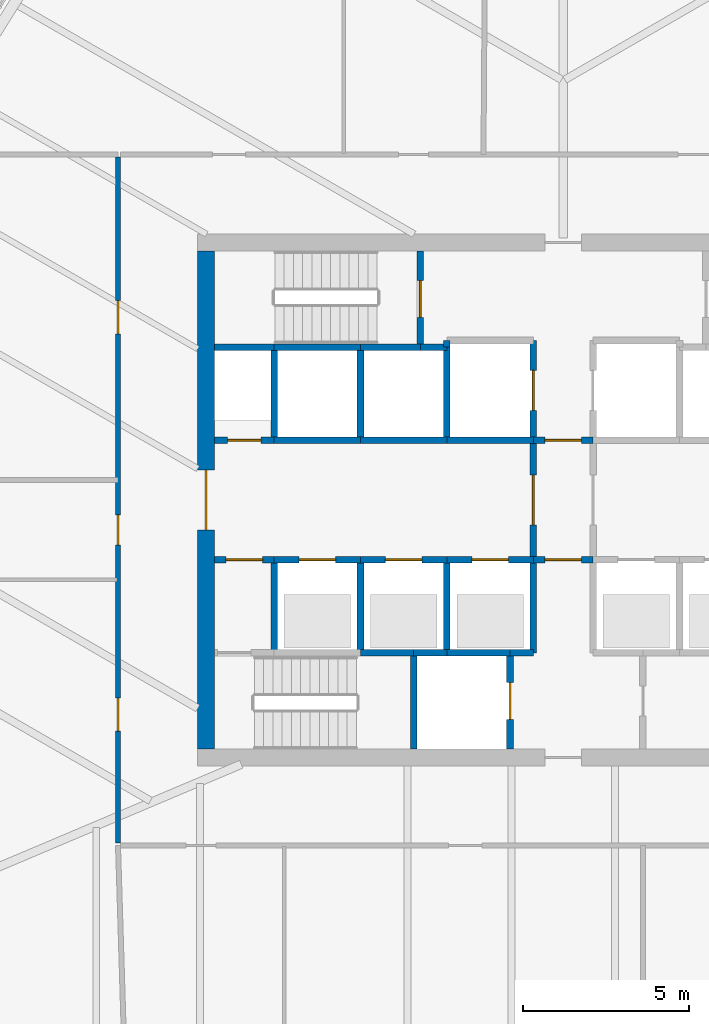
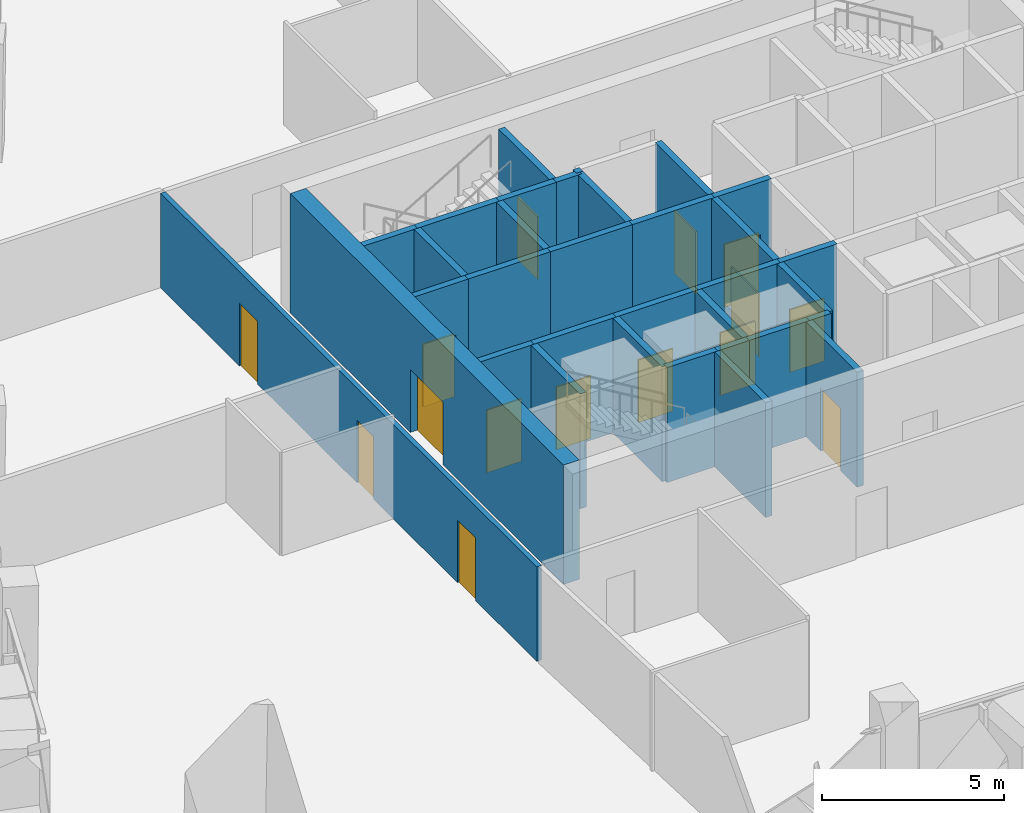
# One storey, part 12 of 18: 33 walls, 15 doors, 15 openings.
"""IFC4 building model written with IfcOpenShell, lengths in metres."""

from ifc_helpers import new_model, si_unit, direction, frame, frame_2d, origin, place, context, subcontext, project, spatial, rectangle, extrude, material, layer, layer_set, type_object, element, fill, save


model = new_model("IFC4")

# Units and contexts
model_context = context("Model", 3, precision=1e-05, world=origin(), true_north=direction((0.0, 1.0)))
body_context = subcontext(model_context, "Body", "Model", "MODEL_VIEW")
ifc_project = project(units=[si_unit("LENGTHUNIT", "METRE"), si_unit("AREAUNIT", "SQUARE_METRE"), si_unit("VOLUMEUNIT", "CUBIC_METRE"), si_unit("PLANEANGLEUNIT", "RADIAN"), si_unit("MASSUNIT", "GRAM", prefix="KILO")], contexts=[model_context])

# Site, building, storey
site_placement = place(None, origin())
site = spatial("IfcSite", under=ifc_project, at=site_placement, CompositionType="ELEMENT")
building_placement = place(site_placement, origin())
building = spatial("IfcBuilding", under=site, at=building_placement, Name="Sierra Prisma Convention Tower", CompositionType="ELEMENT")
storey_placement = place(building_placement, frame((0.0, 0.0, 129.800048828125)))
storey = spatial("IfcBuildingStorey", under=building, at=storey_placement, Name="L27", CompositionType="ELEMENT", Elevation=129.800048828125)

# Wall, opening, door
ifc_material_1 = material(Name="Concrete C30/37", Category="concrete")
ifc_layer_1 = layer(ifc_material_1, 0.199951171875)
ifc_layer_set_1 = layer_set([ifc_layer_1], Name="Core wall RC 200 C30/37")
wall_type_1 = type_object("IfcWallType", Name="Core wall RC 200 C30/37", PredefinedType="SOLIDWALL", material=ifc_layer_set_1)
wall_1_placement = place(storey_placement, frame((-10.5, -1.800048828125, 0.0), z_axis=(0.0, 0.0, 1.0), x_axis=(1.0, 0.0, 0.0)))
wall_1 = element("IfcWall", 1, at=wall_1_placement, inside=storey, type_object=wall_type_1, Name="Core wall L27 2", PredefinedType="SOLIDWALL", context=body_context, shape_type="SweptSolid", body=[
    extrude(rectangle(XDim=1.800048828125, YDim=0.199951171875, at=frame_2d((0.89990234375, 0.0))), origin(), (0.0, 0.0, 1.0), 3.849853515625),
])
opening_1_placement = place(wall_1_placement, frame((0.35009765625, 0.0, 0.0)))
opening_1 = element("IfcOpeningElement", 2, at=opening_1_placement, cuts=wall_1, Name="Opening L27-D012", PredefinedType="OPENING", context=body_context, shape_type="SweptSolid", body=[
    extrude(rectangle(XDim=1.10009765625, YDim=2.10009765625, at=frame_2d((0.550048828125, 1.050048828125))), frame((0.0, 0.10009765625, 0.0), z_axis=(0.0, -1.0, 0.0), x_axis=(1.0, 0.0, 0.0)), (0.0, 0.0, 1.0), 0.199951171875),
])
ifc_material_2 = material(Name="Steel fire door leaf", Category="steel")
door_type_1 = type_object("IfcDoorType", Name="Door 1100x2100 FD90S", OperationType="SINGLE_SWING_LEFT", PredefinedType="DOOR", material=ifc_material_2)
door_1_placement = place(opening_1_placement, origin())
door_1 = element("IfcDoor", 3, at=door_1_placement, inside=storey, type_object=door_type_1, Name="Door L27 25", OperationType="SINGLE_SWING_LEFT", OverallHeight=2.10009765625, OverallWidth=1.10009765625, PredefinedType="DOOR", context=body_context, shape_type="SweptSolid", body=[
    extrude(rectangle(XDim=1.10009765625, YDim=2.10009765625, at=frame_2d((0.550048828125, 1.050048828125))), frame((0.0, 0.02490234375, 0.0), z_axis=(0.0, -1.0, 0.0), x_axis=(1.0, 0.0, 0.0)), (0.0, 0.0, 1.0), 0.050048828125),
])
fill(opening_1, door_1)

wall_2_placement = place(storey_placement, frame((-8.699951171875, 1.800048828125, 0.0), z_axis=(0.0, 0.0, 1.0), x_axis=(-1.0, 0.0, 0.0)))
wall_2 = element("IfcWall", 4, at=wall_2_placement, inside=storey, type_object=wall_type_1, Name="Core wall L27 3", PredefinedType="SOLIDWALL", context=body_context, shape_type="SweptSolid", body=[
    extrude(rectangle(XDim=1.800048828125, YDim=0.199951171875, at=frame_2d((0.89990234375, 0.0))), origin(), (0.0, 0.0, 1.0), 3.849853515625),
])
opening_2_placement = place(wall_2_placement, frame((0.39990234375, 0.0, 0.0)))
opening_2 = element("IfcOpeningElement", 5, at=opening_2_placement, cuts=wall_2, Name="Opening L27-D015", PredefinedType="OPENING", context=body_context, shape_type="SweptSolid", body=[
    extrude(rectangle(XDim=1.0, YDim=2.10009765625, at=frame_2d((0.5, 1.050048828125))), frame((0.0, 0.10009765625, 0.0), z_axis=(0.0, -1.0, 0.0), x_axis=(1.0, 0.0, 0.0)), (0.0, 0.0, 1.0), 0.199951171875),
])
ifc_material_3 = material(Name="Steel fire door leaf", Category="steel")
door_type_2 = type_object("IfcDoorType", Name="Door 1000x2100 FD60S", OperationType="SINGLE_SWING_LEFT", PredefinedType="DOOR", material=ifc_material_3)
door_2_placement = place(opening_2_placement, origin())
door_2 = element("IfcDoor", 6, at=door_2_placement, inside=storey, type_object=door_type_2, Name="Door L27 28", OperationType="SINGLE_SWING_RIGHT", OverallHeight=2.10009765625, OverallWidth=1.0, PredefinedType="DOOR", context=body_context, shape_type="SweptSolid", body=[
    extrude(rectangle(XDim=1.0, YDim=2.10009765625, at=frame_2d((0.5, 1.050048828125))), frame((0.0, 0.02490234375, 0.0), z_axis=(0.0, -1.0, 0.0), x_axis=(1.0, 0.0, 0.0)), (0.0, 0.0, 1.0), 0.050048828125),
])
fill(opening_2, door_2)

# Walls
wall_3_placement = place(storey_placement, frame((-8.699951171875, 4.60009765625, 0.0), z_axis=(0.0, 0.0, 1.0), x_axis=(-1.0, 0.0, 0.0)))
element("IfcWall", 7, at=wall_3_placement, inside=storey, type_object=wall_type_1, Name="Core wall L27 4", PredefinedType="SOLIDWALL", context=body_context, shape_type="SweptSolid", body=[
    extrude(rectangle(XDim=1.800048828125, YDim=0.199951171875, at=frame_2d((0.89990234375, 0.0))), origin(), (0.0, 0.0, 1.0), 3.849853515625),
])
wall_4_placement = place(storey_placement, frame((-8.699951171875, -4.60009765625, 0.0), z_axis=(0.0, 0.0, 1.0), x_axis=(0.0, 1.0, 0.0)))
element("IfcWall", 8, at=wall_4_placement, inside=storey, type_object=wall_type_1, Name="Core wall L27 6", PredefinedType="SOLIDWALL", context=body_context, shape_type="SweptSolid", body=[
    extrude(rectangle(XDim=2.800048828125, YDim=0.199951171875, at=frame_2d((1.39990234375, 0.0))), origin(), (0.0, 0.0, 1.0), 3.849853515625),
])

# Wall, opening, door
wall_5_placement = place(storey_placement, frame((-8.699951171875, -1.800048828125, 0.0), z_axis=(0.0, 0.0, 1.0), x_axis=(1.0, 0.0, 0.0)))
wall_5 = element("IfcWall", 9, at=wall_5_placement, inside=storey, type_object=wall_type_1, Name="Core wall L27 7", PredefinedType="SOLIDWALL", context=body_context, shape_type="SweptSolid", body=[
    extrude(rectangle(XDim=2.599853515625, YDim=0.199951171875, at=frame_2d((1.2998046875, 0.0))), origin(), (0.0, 0.0, 1.0), 3.849853515625),
])
opening_3_placement = place(wall_5_placement, frame((0.75, 0.0, 0.0)))
opening_3 = element("IfcOpeningElement", 10, at=opening_3_placement, cuts=wall_5, Name="Opening L27-D001", PredefinedType="OPENING", context=body_context, shape_type="SweptSolid", body=[
    extrude(rectangle(XDim=1.10009765625, YDim=2.10009765625, at=frame_2d((0.550048828125, 1.050048828125))), frame((0.0, 0.10009765625, 0.0), z_axis=(0.0, -1.0, 0.0), x_axis=(1.0, 0.0, 0.0)), (0.0, 0.0, 1.0), 0.199951171875),
])
ifc_material_4 = material(Name="Steel fire door leaf", Category="steel")
door_type_3 = type_object("IfcDoorType", Name="Door 1100x2100 EI 90 sliding lift landing", OperationType="SLIDING_TO_LEFT", PredefinedType="DOOR", material=ifc_material_4)
door_3_placement = place(opening_3_placement, origin())
door_3 = element("IfcDoor", 11, at=door_3_placement, inside=storey, type_object=door_type_3, Name="Door L27 14", OperationType="SLIDING_TO_RIGHT", OverallHeight=2.10009765625, OverallWidth=1.10009765625, PredefinedType="DOOR", context=body_context, shape_type="SweptSolid", body=[
    extrude(rectangle(XDim=1.10009765625, YDim=2.10009765625, at=frame_2d((0.550048828125, 1.050048828125))), frame((0.0, 0.02490234375, 0.0), z_axis=(0.0, -1.0, 0.0), x_axis=(1.0, 0.0, 0.0)), (0.0, 0.0, 1.0), 0.050048828125),
])
fill(opening_3, door_3)

# Walls
wall_6_placement = place(storey_placement, frame((-6.10009765625, 1.800048828125, 0.0), z_axis=(0.0, 0.0, 1.0), x_axis=(-1.0, 0.0, 0.0)))
element("IfcWall", 12, at=wall_6_placement, inside=storey, type_object=wall_type_1, Name="Core wall L27 8", PredefinedType="SOLIDWALL", context=body_context, shape_type="SweptSolid", body=[
    extrude(rectangle(XDim=2.599853515625, YDim=0.199951171875, at=frame_2d((1.2998046875, 0.0))), origin(), (0.0, 0.0, 1.0), 3.849853515625),
])
wall_7_placement = place(storey_placement, frame((-8.699951171875, 1.800048828125, 0.0), z_axis=(0.0, 0.0, 1.0), x_axis=(0.0, 1.0, 0.0)))
element("IfcWall", 13, at=wall_7_placement, inside=storey, type_object=wall_type_1, Name="Core wall L27 9", PredefinedType="SOLIDWALL", context=body_context, shape_type="SweptSolid", body=[
    extrude(rectangle(XDim=2.800048828125, YDim=0.199951171875, at=frame_2d((1.39990234375, 0.0))), origin(), (0.0, 0.0, 1.0), 3.849853515625),
])
wall_8_placement = place(storey_placement, frame((-6.10009765625, 4.60009765625, 0.0), z_axis=(0.0, 0.0, 1.0), x_axis=(-1.0, 0.0, 0.0)))
element("IfcWall", 14, at=wall_8_placement, inside=storey, type_object=wall_type_1, Name="Core wall L27 10", PredefinedType="SOLIDWALL", context=body_context, shape_type="SweptSolid", body=[
    extrude(rectangle(XDim=2.599853515625, YDim=0.199951171875, at=frame_2d((1.2998046875, 0.0))), origin(), (0.0, 0.0, 1.0), 3.849853515625),
])
wall_9_placement = place(storey_placement, frame((-6.10009765625, -4.60009765625, 0.0), z_axis=(0.0, 0.0, 1.0), x_axis=(1.0, 0.0, 0.0)))
element("IfcWall", 15, at=wall_9_placement, inside=storey, type_object=wall_type_1, Name="Core wall L27 11", PredefinedType="SOLIDWALL", context=body_context, shape_type="SweptSolid", body=[
    extrude(rectangle(XDim=1.60009765625, YDim=0.199951171875, at=frame_2d((0.800048828125, 0.0))), origin(), (0.0, 0.0, 1.0), 3.849853515625),
])
wall_10_placement = place(storey_placement, frame((-6.10009765625, -4.60009765625, 0.0), z_axis=(0.0, 0.0, 1.0), x_axis=(0.0, 1.0, 0.0)))
element("IfcWall", 16, at=wall_10_placement, inside=storey, type_object=wall_type_1, Name="Core wall L27 12", PredefinedType="SOLIDWALL", context=body_context, shape_type="SweptSolid", body=[
    extrude(rectangle(XDim=2.800048828125, YDim=0.199951171875, at=frame_2d((1.39990234375, 0.0))), origin(), (0.0, 0.0, 1.0), 3.849853515625),
])

# Wall, opening, door
wall_11_placement = place(storey_placement, frame((-6.10009765625, -1.800048828125, 0.0), z_axis=(0.0, 0.0, 1.0), x_axis=(1.0, 0.0, 0.0)))
wall_11 = element("IfcWall", 17, at=wall_11_placement, inside=storey, type_object=wall_type_1, Name="Core wall L27 13", PredefinedType="SOLIDWALL", context=body_context, shape_type="SweptSolid", body=[
    extrude(rectangle(XDim=2.60009765625, YDim=0.199951171875, at=frame_2d((1.300048828125, 0.0))), origin(), (0.0, 0.0, 1.0), 3.849853515625),
])
opening_4_placement = place(wall_11_placement, frame((0.75, 0.0, 0.0)))
opening_4 = element("IfcOpeningElement", 18, at=opening_4_placement, cuts=wall_11, Name="Opening L27-D002", PredefinedType="OPENING", context=body_context, shape_type="SweptSolid", body=[
    extrude(rectangle(XDim=1.10009765625, YDim=2.10009765625, at=frame_2d((0.550048828125, 1.050048828125))), frame((0.0, 0.10009765625, 0.0), z_axis=(0.0, -1.0, 0.0), x_axis=(1.0, 0.0, 0.0)), (0.0, 0.0, 1.0), 0.199951171875),
])
door_4_placement = place(opening_4_placement, origin())
door_4 = element("IfcDoor", 19, at=door_4_placement, inside=storey, type_object=door_type_3, Name="Door L27 15", OperationType="SLIDING_TO_LEFT", OverallHeight=2.10009765625, OverallWidth=1.10009765625, PredefinedType="DOOR", context=body_context, shape_type="SweptSolid", body=[
    extrude(rectangle(XDim=1.10009765625, YDim=2.10009765625, at=frame_2d((0.550048828125, 1.050048828125))), frame((0.0, 0.02490234375, 0.0), z_axis=(0.0, -1.0, 0.0), x_axis=(1.0, 0.0, 0.0)), (0.0, 0.0, 1.0), 0.050048828125),
])
fill(opening_4, door_4)

# Walls
wall_12_placement = place(storey_placement, frame((-3.5, 1.800048828125, 0.0), z_axis=(0.0, 0.0, 1.0), x_axis=(-1.0, 0.0, 0.0)))
element("IfcWall", 20, at=wall_12_placement, inside=storey, type_object=wall_type_1, Name="Core wall L27 14", PredefinedType="SOLIDWALL", context=body_context, shape_type="SweptSolid", body=[
    extrude(rectangle(XDim=2.60009765625, YDim=0.199951171875, at=frame_2d((1.300048828125, 0.0))), origin(), (0.0, 0.0, 1.0), 3.849853515625),
])
wall_13_placement = place(storey_placement, frame((-6.10009765625, 1.800048828125, 0.0), z_axis=(0.0, 0.0, 1.0), x_axis=(0.0, 1.0, 0.0)))
element("IfcWall", 21, at=wall_13_placement, inside=storey, type_object=wall_type_1, Name="Core wall L27 15", PredefinedType="SOLIDWALL", context=body_context, shape_type="SweptSolid", body=[
    extrude(rectangle(XDim=2.800048828125, YDim=0.199951171875, at=frame_2d((1.39990234375, 0.0))), origin(), (0.0, 0.0, 1.0), 3.849853515625),
])
wall_14_placement = place(storey_placement, frame((-4.300048828125, 4.60009765625, 0.0), z_axis=(0.0, 0.0, 1.0), x_axis=(-1.0, 0.0, 0.0)))
element("IfcWall", 22, at=wall_14_placement, inside=storey, type_object=wall_type_1, Name="Core wall L27 16", PredefinedType="SOLIDWALL", context=body_context, shape_type="SweptSolid", body=[
    extrude(rectangle(XDim=1.800048828125, YDim=0.199951171875, at=frame_2d((0.89990234375, 0.0))), origin(), (0.0, 0.0, 1.0), 3.849853515625),
])
wall_15_placement = place(storey_placement, frame((-4.5, -4.60009765625, 0.0), z_axis=(0.0, 0.0, 1.0), x_axis=(0.0, -1.0, 0.0)))
element("IfcWall", 23, at=wall_15_placement, inside=storey, type_object=wall_type_1, Name="Core wall L27 17", PredefinedType="SOLIDWALL", context=body_context, shape_type="SweptSolid", body=[
    extrude(rectangle(XDim=2.89990234375, YDim=0.199951171875, at=frame_2d((1.449951171875, 0.0))), origin(), (0.0, 0.0, 1.0), 3.849853515625),
])
wall_16_placement = place(storey_placement, frame((-4.5, -4.60009765625, 0.0), z_axis=(0.0, 0.0, 1.0), x_axis=(1.0, 0.0, 0.0)))
element("IfcWall", 24, at=wall_16_placement, inside=storey, type_object=wall_type_1, Name="Core wall L27 18", PredefinedType="SOLIDWALL", context=body_context, shape_type="SweptSolid", body=[
    extrude(rectangle(XDim=1.0, YDim=0.199951171875, at=frame_2d((0.5, 0.0))), origin(), (0.0, 0.0, 1.0), 3.849853515625),
])
wall_17_placement = place(storey_placement, frame((-3.5, 4.60009765625, 0.0), z_axis=(0.0, 0.0, 1.0), x_axis=(-1.0, 0.0, 0.0)))
element("IfcWall", 25, at=wall_17_placement, inside=storey, type_object=wall_type_1, Name="Core wall L27 19", PredefinedType="SOLIDWALL", context=body_context, shape_type="SweptSolid", body=[
    extrude(rectangle(XDim=0.800048828125, YDim=0.199951171875, at=frame_2d((0.39990234375, 0.0))), origin(), (0.0, 0.0, 1.0), 3.849853515625),
])

# Wall, opening, door
wall_18_placement = place(storey_placement, frame((-4.300048828125, 4.60009765625, 0.0), z_axis=(0.0, 0.0, 1.0), x_axis=(0.0, 1.0, 0.0)))
wall_18 = element("IfcWall", 26, at=wall_18_placement, inside=storey, type_object=wall_type_1, Name="Core wall L27 20", PredefinedType="SOLIDWALL", context=body_context, shape_type="SweptSolid", body=[
    extrude(rectangle(XDim=2.89990234375, YDim=0.199951171875, at=frame_2d((1.449951171875, 0.0))), origin(), (0.0, 0.0, 1.0), 3.849853515625),
])
opening_5_placement = place(wall_18_placement, frame((0.89990234375, 0.0, 0.0)))
opening_5 = element("IfcOpeningElement", 27, at=opening_5_placement, cuts=wall_18, Name="Opening L27-D018", PredefinedType="OPENING", context=body_context, shape_type="SweptSolid", body=[
    extrude(rectangle(XDim=1.10009765625, YDim=2.10009765625, at=frame_2d((0.550048828125, 1.050048828125))), frame((0.0, 0.10009765625, 0.0), z_axis=(0.0, -1.0, 0.0), x_axis=(1.0, 0.0, 0.0)), (0.0, 0.0, 1.0), 0.199951171875),
])
door_5_placement = place(opening_5_placement, origin())
door_5 = element("IfcDoor", 28, at=door_5_placement, inside=storey, type_object=door_type_1, Name="Door L27 31", OperationType="SINGLE_SWING_LEFT", OverallHeight=2.10009765625, OverallWidth=1.10009765625, PredefinedType="DOOR", context=body_context, shape_type="SweptSolid", body=[
    extrude(rectangle(XDim=1.10009765625, YDim=2.10009765625, at=frame_2d((0.550048828125, 1.050048828125))), frame((0.0, 0.02490234375, 0.0), z_axis=(0.0, -1.0, 0.0), x_axis=(1.0, 0.0, 0.0)), (0.0, 0.0, 1.0), 0.050048828125),
])
fill(opening_5, door_5)

# Walls
wall_19_placement = place(storey_placement, frame((-3.5, -4.60009765625, 0.0), z_axis=(0.0, 0.0, 1.0), x_axis=(1.0, 0.0, 0.0)))
element("IfcWall", 29, at=wall_19_placement, inside=storey, type_object=wall_type_1, Name="Core wall L27 21", PredefinedType="SOLIDWALL", context=body_context, shape_type="SweptSolid", body=[
    extrude(rectangle(XDim=1.89990234375, YDim=0.199951171875, at=frame_2d((0.949951171875, 0.0))), origin(), (0.0, 0.0, 1.0), 3.849853515625),
])
wall_20_placement = place(storey_placement, frame((-3.5, -4.60009765625, 0.0), z_axis=(0.0, 0.0, 1.0), x_axis=(0.0, 1.0, 0.0)))
element("IfcWall", 30, at=wall_20_placement, inside=storey, type_object=wall_type_1, Name="Core wall L27 22", PredefinedType="SOLIDWALL", context=body_context, shape_type="SweptSolid", body=[
    extrude(rectangle(XDim=2.800048828125, YDim=0.199951171875, at=frame_2d((1.39990234375, 0.0))), origin(), (0.0, 0.0, 1.0), 3.849853515625),
])

# Wall, opening, door
wall_21_placement = place(storey_placement, frame((-3.5, -1.800048828125, 0.0), z_axis=(0.0, 0.0, 1.0), x_axis=(1.0, 0.0, 0.0)))
wall_21 = element("IfcWall", 31, at=wall_21_placement, inside=storey, type_object=wall_type_1, Name="Core wall L27 23", PredefinedType="SOLIDWALL", context=body_context, shape_type="SweptSolid", body=[
    extrude(rectangle(XDim=2.60009765625, YDim=0.199951171875, at=frame_2d((1.300048828125, 0.0))), origin(), (0.0, 0.0, 1.0), 3.849853515625),
])
opening_6_placement = place(wall_21_placement, frame((0.75, 0.0, 0.0)))
opening_6 = element("IfcOpeningElement", 32, at=opening_6_placement, cuts=wall_21, Name="Opening L27-D003", PredefinedType="OPENING", context=body_context, shape_type="SweptSolid", body=[
    extrude(rectangle(XDim=1.10009765625, YDim=2.10009765625, at=frame_2d((0.550048828125, 1.050048828125))), frame((0.0, 0.10009765625, 0.0), z_axis=(0.0, -1.0, 0.0), x_axis=(1.0, 0.0, 0.0)), (0.0, 0.0, 1.0), 0.199951171875),
])
door_6_placement = place(opening_6_placement, origin())
door_6 = element("IfcDoor", 33, at=door_6_placement, inside=storey, type_object=door_type_3, Name="Door L27 16", OperationType="SLIDING_TO_RIGHT", OverallHeight=2.10009765625, OverallWidth=1.10009765625, PredefinedType="DOOR", context=body_context, shape_type="SweptSolid", body=[
    extrude(rectangle(XDim=1.10009765625, YDim=2.10009765625, at=frame_2d((0.550048828125, 1.050048828125))), frame((0.0, 0.02490234375, 0.0), z_axis=(0.0, -1.0, 0.0), x_axis=(1.0, 0.0, 0.0)), (0.0, 0.0, 1.0), 0.050048828125),
])
fill(opening_6, door_6)

# Walls
wall_22_placement = place(storey_placement, frame((-0.89990234375, 1.800048828125, 0.0), z_axis=(0.0, 0.0, 1.0), x_axis=(-1.0, 0.0, 0.0)))
element("IfcWall", 34, at=wall_22_placement, inside=storey, type_object=wall_type_1, Name="Core wall L27 24", PredefinedType="SOLIDWALL", context=body_context, shape_type="SweptSolid", body=[
    extrude(rectangle(XDim=2.60009765625, YDim=0.199951171875, at=frame_2d((1.300048828125, 0.0))), origin(), (0.0, 0.0, 1.0), 3.849853515625),
])
wall_23_placement = place(storey_placement, frame((-3.5, 4.60009765625, 0.0), z_axis=(0.0, 0.0, 1.0), x_axis=(0.0, -1.0, 0.0)))
element("IfcWall", 35, at=wall_23_placement, inside=storey, type_object=wall_type_1, Name="Core wall L27 25", PredefinedType="SOLIDWALL", context=body_context, shape_type="SweptSolid", body=[
    extrude(rectangle(XDim=2.800048828125, YDim=0.199951171875, at=frame_2d((1.39990234375, 0.0))), origin(), (0.0, 0.0, 1.0), 3.849853515625),
])

# Wall, opening, door
wall_24_placement = place(storey_placement, frame((-0.89990234375, 1.800048828125, 0.0), z_axis=(0.0, 0.0, 1.0), x_axis=(0.0, 1.0, 0.0)))
wall_24 = element("IfcWall", 36, at=wall_24_placement, inside=storey, type_object=wall_type_1, Name="Core wall L27 26", PredefinedType="SOLIDWALL", context=body_context, shape_type="SweptSolid", body=[
    extrude(rectangle(XDim=3.0, YDim=0.199951171875, at=frame_2d((1.5, 0.0))), origin(), (0.0, 0.0, 1.0), 3.849853515625),
])
opening_7_placement = place(wall_24_placement, frame((0.89990234375, 0.0, 0.0)))
opening_7 = element("IfcOpeningElement", 37, at=opening_7_placement, cuts=wall_24, Name="Opening L27-D007", PredefinedType="OPENING", context=body_context, shape_type="SweptSolid", body=[
    extrude(rectangle(XDim=1.199951171875, YDim=2.10009765625, at=frame_2d((0.60009765625, 1.050048828125))), frame((0.0, 0.10009765625, 0.0), z_axis=(0.0, -1.0, 0.0), x_axis=(1.0, 0.0, 0.0)), (0.0, 0.0, 1.0), 0.199951171875),
])
ifc_material_5 = material(Name="Steel fire door leaf", Category="steel")
door_type_4 = type_object("IfcDoorType", Name="Door 1200x2100 EI 90 sliding lift landing", OperationType="SLIDING_TO_LEFT", PredefinedType="DOOR", material=ifc_material_5)
door_7_placement = place(opening_7_placement, origin())
door_7 = element("IfcDoor", 38, at=door_7_placement, inside=storey, type_object=door_type_4, Name="Door L27 20", OperationType="SLIDING_TO_LEFT", OverallHeight=2.10009765625, OverallWidth=1.199951171875, PredefinedType="DOOR", context=body_context, shape_type="SweptSolid", body=[
    extrude(rectangle(XDim=1.199951171875, YDim=2.10009765625, at=frame_2d((0.60009765625, 1.050048828125))), frame((0.0, 0.02490234375, 0.0), z_axis=(0.0, -1.0, 0.0), x_axis=(1.0, 0.0, 0.0)), (0.0, 0.0, 1.0), 0.050048828125),
])
fill(opening_7, door_7)

# Wall
wall_25_placement = place(storey_placement, frame((-3.5, 4.800048828125, 0.0), z_axis=(0.0, 0.0, 1.0), x_axis=(0.0, -1.0, 0.0)))
element("IfcWall", 39, at=wall_25_placement, inside=storey, type_object=wall_type_1, Name="Core wall L27 28", PredefinedType="SOLIDWALL", context=body_context, shape_type="SweptSolid", body=[
    extrude(rectangle(XDim=0.199951171875, YDim=0.199951171875, at=frame_2d((0.10009765625, 0.0))), origin(), (0.0, 0.0, 1.0), 3.849853515625),
])

# Wall, opening, door
wall_26_placement = place(storey_placement, frame((-1.60009765625, -7.5, 0.0), z_axis=(0.0, 0.0, 1.0), x_axis=(0.0, 1.0, 0.0)))
wall_26 = element("IfcWall", 40, at=wall_26_placement, inside=storey, type_object=wall_type_1, Name="Core wall L27 29", PredefinedType="SOLIDWALL", context=body_context, shape_type="SweptSolid", body=[
    extrude(rectangle(XDim=2.89990234375, YDim=0.199951171875, at=frame_2d((1.449951171875, 0.0))), origin(), (0.0, 0.0, 1.0), 3.849853515625),
])
opening_8_placement = place(wall_26_placement, frame((0.89990234375, 0.0, 0.0)))
opening_8 = element("IfcOpeningElement", 41, at=opening_8_placement, cuts=wall_26, Name="Opening L27-D009", PredefinedType="OPENING", context=body_context, shape_type="SweptSolid", body=[
    extrude(rectangle(XDim=1.10009765625, YDim=2.10009765625, at=frame_2d((0.550048828125, 1.050048828125))), frame((0.0, 0.10009765625, 0.0), z_axis=(0.0, -1.0, 0.0), x_axis=(1.0, 0.0, 0.0)), (0.0, 0.0, 1.0), 0.199951171875),
])
door_8_placement = place(opening_8_placement, origin())
door_8 = element("IfcDoor", 42, at=door_8_placement, inside=storey, type_object=door_type_3, Name="Door L27 22", OperationType="SLIDING_TO_RIGHT", OverallHeight=2.10009765625, OverallWidth=1.10009765625, PredefinedType="DOOR", context=body_context, shape_type="SweptSolid", body=[
    extrude(rectangle(XDim=1.10009765625, YDim=2.10009765625, at=frame_2d((0.550048828125, 1.050048828125))), frame((0.0, 0.02490234375, 0.0), z_axis=(0.0, -1.0, 0.0), x_axis=(1.0, 0.0, 0.0)), (0.0, 0.0, 1.0), 0.050048828125),
])
fill(opening_8, door_8)

# Walls
wall_27_placement = place(storey_placement, frame((-1.60009765625, -4.60009765625, 0.0), z_axis=(0.0, 0.0, 1.0), x_axis=(1.0, 0.0, 0.0)))
element("IfcWall", 43, at=wall_27_placement, inside=storey, type_object=wall_type_1, Name="Core wall L27 30", PredefinedType="SOLIDWALL", context=body_context, shape_type="SweptSolid", body=[
    extrude(rectangle(XDim=0.7001953125, YDim=0.199951171875, at=frame_2d((0.35009765625, 0.0))), origin(), (0.0, 0.0, 1.0), 3.849853515625),
])
wall_28_placement = place(storey_placement, frame((-0.89990234375, -4.60009765625, 0.0), z_axis=(0.0, 0.0, 1.0), x_axis=(0.0, 1.0, 0.0)))
element("IfcWall", 44, at=wall_28_placement, inside=storey, type_object=wall_type_1, Name="Core wall L27 31", PredefinedType="SOLIDWALL", context=body_context, shape_type="SweptSolid", body=[
    extrude(rectangle(XDim=2.800048828125, YDim=0.199951171875, at=frame_2d((1.39990234375, 0.0))), origin(), (0.0, 0.0, 1.0), 3.849853515625),
])

# Wall, opening, door
wall_29_placement = place(storey_placement, frame((-0.89990234375, -1.800048828125, 0.0), z_axis=(0.0, 0.0, 1.0), x_axis=(1.0, 0.0, 0.0)))
wall_29 = element("IfcWall", 45, at=wall_29_placement, inside=storey, type_object=wall_type_1, Name="Core wall L27 32", PredefinedType="SOLIDWALL", context=body_context, shape_type="SweptSolid", body=[
    extrude(rectangle(XDim=1.7998046875, YDim=0.199951171875, at=frame_2d((0.89990234375, 0.0))), origin(), (0.0, 0.0, 1.0), 3.849853515625),
])
opening_9_placement = place(wall_29_placement, frame((0.35009765625, 0.0, 0.0)))
opening_9 = element("IfcOpeningElement", 46, at=opening_9_placement, cuts=wall_29, Name="Opening L27-D014", PredefinedType="OPENING", context=body_context, shape_type="SweptSolid", body=[
    extrude(rectangle(XDim=1.10009765625, YDim=2.10009765625, at=frame_2d((0.550048828125, 1.050048828125))), frame((0.0, 0.10009765625, 0.0), z_axis=(0.0, -1.0, 0.0), x_axis=(1.0, 0.0, 0.0)), (0.0, 0.0, 1.0), 0.199951171875),
])
ifc_material_6 = material(Name="Steel fire door leaf", Category="steel")
door_type_5 = type_object("IfcDoorType", Name="Door 1100x2100 FD30S", OperationType="SINGLE_SWING_LEFT", PredefinedType="DOOR", material=ifc_material_6)
door_9_placement = place(opening_9_placement, origin())
door_9 = element("IfcDoor", 47, at=door_9_placement, inside=storey, type_object=door_type_5, Name="Door L27 27", OperationType="SINGLE_SWING_RIGHT", OverallHeight=2.10009765625, OverallWidth=1.10009765625, PredefinedType="DOOR", context=body_context, shape_type="SweptSolid", body=[
    extrude(rectangle(XDim=1.10009765625, YDim=2.10009765625, at=frame_2d((0.550048828125, 1.050048828125))), frame((0.0, 0.02490234375, 0.0), z_axis=(0.0, -1.0, 0.0), x_axis=(1.0, 0.0, 0.0)), (0.0, 0.0, 1.0), 0.050048828125),
])
fill(opening_9, door_9)

wall_30_placement = place(storey_placement, frame((-0.89990234375, 1.800048828125, 0.0), z_axis=(0.0, 0.0, 1.0), x_axis=(0.0, -1.0, 0.0)))
wall_30 = element("IfcWall", 48, at=wall_30_placement, inside=storey, type_object=wall_type_1, Name="Core wall L27 33", PredefinedType="SOLIDWALL", context=body_context, shape_type="SweptSolid", body=[
    extrude(rectangle(XDim=3.60009765625, YDim=0.199951171875, at=frame_2d((1.800048828125, 0.0))), origin(), (0.0, 0.0, 1.0), 3.849853515625),
])
opening_10_placement = place(wall_30_placement, frame((1.050048828125, 0.0, 0.0)))
opening_10 = element("IfcOpeningElement", 49, at=opening_10_placement, cuts=wall_30, Name="Opening L27-D010", PredefinedType="OPENING", context=body_context, shape_type="SweptSolid", body=[
    extrude(rectangle(XDim=1.5, YDim=2.10009765625, at=frame_2d((0.75, 1.050048828125))), frame((0.0, 0.10009765625, 0.0), z_axis=(0.0, -1.0, 0.0), x_axis=(1.0, 0.0, 0.0)), (0.0, 0.0, 1.0), 0.199951171875),
])
ifc_material_7 = material(Name="Steel fire door leaf", Category="steel")
door_type_6 = type_object("IfcDoorType", Name="Door 1500x2100 FD30S", OperationType="DOUBLE_DOOR_SINGLE_SWING", PredefinedType="DOOR", material=ifc_material_7)
door_10_placement = place(opening_10_placement, origin())
door_10 = element("IfcDoor", 50, at=door_10_placement, inside=storey, type_object=door_type_6, Name="Door L27 23", OperationType="DOUBLE_DOOR_SINGLE_SWING", OverallHeight=2.10009765625, OverallWidth=1.5, PredefinedType="DOOR", context=body_context, shape_type="SweptSolid", body=[
    extrude(rectangle(XDim=1.5, YDim=2.10009765625, at=frame_2d((0.75, 1.050048828125))), frame((0.0, 0.02490234375, 0.0), z_axis=(0.0, -1.0, 0.0), x_axis=(1.0, 0.0, 0.0)), (0.0, 0.0, 1.0), 0.050048828125),
])
fill(opening_10, door_10)

wall_31_placement = place(storey_placement, frame((0.89990234375, 1.800048828125, 0.0), z_axis=(0.0, 0.0, 1.0), x_axis=(-1.0, 0.0, 0.0)))
wall_31 = element("IfcWall", 51, at=wall_31_placement, inside=storey, type_object=wall_type_1, Name="Core wall L27 34", PredefinedType="SOLIDWALL", context=body_context, shape_type="SweptSolid", body=[
    extrude(rectangle(XDim=1.7998046875, YDim=0.199951171875, at=frame_2d((0.89990234375, 0.0))), origin(), (0.0, 0.0, 1.0), 3.849853515625),
])
opening_11_placement = place(wall_31_placement, frame((0.35009765625, 0.0, 0.0)))
opening_11 = element("IfcOpeningElement", 52, at=opening_11_placement, cuts=wall_31, Name="Opening L27-D013", PredefinedType="OPENING", context=body_context, shape_type="SweptSolid", body=[
    extrude(rectangle(XDim=1.10009765625, YDim=2.10009765625, at=frame_2d((0.550048828125, 1.050048828125))), frame((0.0, 0.10009765625, 0.0), z_axis=(0.0, -1.0, 0.0), x_axis=(1.0, 0.0, 0.0)), (0.0, 0.0, 1.0), 0.199951171875),
])
ifc_material_8 = material(Name="Steel fire door leaf", Category="steel")
door_type_7 = type_object("IfcDoorType", Name="Door 1100x2100 FD60S", OperationType="SINGLE_SWING_LEFT", PredefinedType="DOOR", material=ifc_material_8)
door_11_placement = place(opening_11_placement, origin())
door_11 = element("IfcDoor", 53, at=door_11_placement, inside=storey, type_object=door_type_7, Name="Door L27 26", OperationType="SINGLE_SWING_LEFT", OverallHeight=2.10009765625, OverallWidth=1.10009765625, PredefinedType="DOOR", context=body_context, shape_type="SweptSolid", body=[
    extrude(rectangle(XDim=1.10009765625, YDim=2.10009765625, at=frame_2d((0.550048828125, 1.050048828125))), frame((0.0, 0.02490234375, 0.0), z_axis=(0.0, -1.0, 0.0), x_axis=(1.0, 0.0, 0.0)), (0.0, 0.0, 1.0), 0.050048828125),
])
fill(opening_11, door_11)

ifc_material_9 = material(Name="Concrete C60/75", Category="concrete")
ifc_layer_2 = layer(ifc_material_9, 0.5)
ifc_layer_set_2 = layer_set([ifc_layer_2], Name="Core wall RC 500 C60/75")
wall_type_2 = type_object("IfcWallType", Name="Core wall RC 500 C60/75", PredefinedType="SHEAR", material=ifc_layer_set_2)
wall_32_placement = place(storey_placement, frame((-10.75, -7.5, 0.0), z_axis=(0.0, 0.0, 1.0), x_axis=(0.0, 1.0, 0.0)))
wall_32 = element("IfcWall", 54, at=wall_32_placement, inside=storey, type_object=wall_type_2, Name="Core wall W L27", PredefinedType="SHEAR", context=body_context, shape_type="SweptSolid", body=[
    extrude(rectangle(XDim=15.0, YDim=0.5, at=frame_2d((7.5, 0.0))), origin(), (0.0, 0.0, 1.0), 4.0),
])
opening_12_placement = place(wall_32_placement, frame((6.60009765625, 0.0, 0.0)))
opening_12 = element("IfcOpeningElement", 55, at=opening_12_placement, cuts=wall_32, Name="Opening L27-D039", PredefinedType="OPENING", context=body_context, shape_type="SweptSolid", body=[
    extrude(rectangle(XDim=1.800048828125, YDim=2.10009765625, at=frame_2d((0.89990234375, 1.050048828125))), frame((0.0, 0.25, 0.0), z_axis=(0.0, -1.0, 0.0), x_axis=(1.0, 0.0, 0.0)), (0.0, 0.0, 1.0), 0.5),
])
ifc_material_10 = material(Name="Steel fire door leaf", Category="steel")
door_type_8 = type_object("IfcDoorType", Name="Door 1800x2100 FD60S", OperationType="DOUBLE_DOOR_SINGLE_SWING", PredefinedType="DOOR", material=ifc_material_10)
door_12_placement = place(opening_12_placement, origin())
door_12 = element("IfcDoor", 56, at=door_12_placement, inside=storey, type_object=door_type_8, Name="Door L27 36", OperationType="DOUBLE_DOOR_SINGLE_SWING", OverallHeight=2.10009765625, OverallWidth=1.800048828125, PredefinedType="DOOR", context=body_context, shape_type="SweptSolid", body=[
    extrude(rectangle(XDim=1.800048828125, YDim=2.10009765625, at=frame_2d((0.89990234375, 1.050048828125))), frame((0.0, 0.02490234375, 0.0), z_axis=(0.0, -1.0, 0.0), x_axis=(1.0, 0.0, 0.0)), (0.0, 0.0, 1.0), 0.050048828125),
])
fill(opening_12, door_12)

# Wall, openings, doors
ifc_material_11 = material(Name="Gypsum board partition", Category="gypsum")
ifc_layer_3 = layer(ifc_material_11, 0.14990234375)
ifc_layer_set_3 = layer_set([ifc_layer_3], Name="Corridor wall 150 gypsum EI 60")
wall_type_3 = type_object("IfcWallType", Name="Corridor wall 150 gypsum EI 60", PredefinedType="PARTITIONING", material=ifc_layer_set_3)
wall_33_placement = place(storey_placement, frame((-13.39990234375, 10.320068359375, 0.0), z_axis=(0.0, 0.0, 1.0), x_axis=(0.0, -1.0, 0.0)))
wall_33 = element("IfcWall", 57, at=wall_33_placement, inside=storey, type_object=wall_type_3, Name="Partition L27 corr 1", PredefinedType="PARTITIONING", context=body_context, shape_type="SweptSolid", body=[
    extrude(rectangle(XDim=20.64013671875, YDim=0.14990234375, at=frame_2d((10.320068359375, 0.0))), origin(), (0.0, 0.0, 1.0), 3.166015625),
])
opening_13_placement = place(wall_33_placement, frame((4.320068359375, 0.0, 0.0)))
opening_13 = element("IfcOpeningElement", 58, at=opening_13_placement, cuts=wall_33, Name="Opening L27-D028", PredefinedType="OPENING", context=body_context, shape_type="SweptSolid", body=[
    extrude(rectangle(XDim=1.0, YDim=2.10009765625, at=frame_2d((0.5, 1.050048828125))), frame((0.0, 0.074951171875, 0.0), z_axis=(0.0, -1.0, 0.0), x_axis=(1.0, 0.0, 0.0)), (0.0, 0.0, 1.0), 0.14990234375),
])
opening_14_placement = place(wall_33_placement, frame((10.77001953125, 0.0, 0.0)))
opening_14 = element("IfcOpeningElement", 59, at=opening_14_placement, cuts=wall_33, Name="Opening L27-D029", PredefinedType="OPENING", context=body_context, shape_type="SweptSolid", body=[
    extrude(rectangle(XDim=0.89990234375, YDim=2.10009765625, at=frame_2d((0.449951171875, 1.050048828125))), frame((0.0, 0.074951171875, 0.0), z_axis=(0.0, -1.0, 0.0), x_axis=(1.0, 0.0, 0.0)), (0.0, 0.0, 1.0), 0.14990234375),
])
opening_15_placement = place(wall_33_placement, frame((16.280029296875, 0.0, 0.0)))
opening_15 = element("IfcOpeningElement", 60, at=opening_15_placement, cuts=wall_33, Name="Opening L27-D030", PredefinedType="OPENING", context=body_context, shape_type="SweptSolid", body=[
    extrude(rectangle(XDim=1.0, YDim=2.10009765625, at=frame_2d((0.5, 1.050048828125))), frame((0.0, 0.074951171875, 0.0), z_axis=(0.0, -1.0, 0.0), x_axis=(1.0, 0.0, 0.0)), (0.0, 0.0, 1.0), 0.14990234375),
])
ifc_material_12 = material(Name="Steel fire door leaf", Category="steel")
door_type_9 = type_object("IfcDoorType", Name="Door 1000x2100 FD30S", OperationType="SINGLE_SWING_LEFT", PredefinedType="DOOR", material=ifc_material_12)
door_13_placement = place(opening_13_placement, origin())
door_13 = element("IfcDoor", 61, at=door_13_placement, inside=storey, type_object=door_type_9, Name="Door L27 6", OperationType="SINGLE_SWING_RIGHT", OverallHeight=2.10009765625, OverallWidth=1.0, PredefinedType="DOOR", context=body_context, shape_type="SweptSolid", body=[
    extrude(rectangle(XDim=1.0, YDim=2.10009765625, at=frame_2d((0.5, 1.050048828125))), frame((0.0, 0.02490234375, 0.0), z_axis=(0.0, -1.0, 0.0), x_axis=(1.0, 0.0, 0.0)), (0.0, 0.0, 1.0), 0.050048828125),
])
fill(opening_13, door_13)
door_14_placement = place(opening_15_placement, origin())
door_14 = element("IfcDoor", 62, at=door_14_placement, inside=storey, type_object=door_type_9, Name="Door L27 8", OperationType="SINGLE_SWING_RIGHT", OverallHeight=2.10009765625, OverallWidth=1.0, PredefinedType="DOOR", context=body_context, shape_type="SweptSolid", body=[
    extrude(rectangle(XDim=1.0, YDim=2.10009765625, at=frame_2d((0.5, 1.050048828125))), frame((0.0, 0.02490234375, 0.0), z_axis=(0.0, -1.0, 0.0), x_axis=(1.0, 0.0, 0.0)), (0.0, 0.0, 1.0), 0.050048828125),
])
fill(opening_15, door_14)
ifc_material_13 = material(Name="Steel fire door leaf", Category="steel")
door_type_10 = type_object("IfcDoorType", Name="Door 900x2100 FD30S", OperationType="SINGLE_SWING_LEFT", PredefinedType="DOOR", material=ifc_material_13)
door_15_placement = place(opening_14_placement, origin())
door_15 = element("IfcDoor", 63, at=door_15_placement, inside=storey, type_object=door_type_10, Name="Door L27 7", OperationType="SINGLE_SWING_LEFT", OverallHeight=2.10009765625, OverallWidth=0.89990234375, PredefinedType="DOOR", context=body_context, shape_type="SweptSolid", body=[
    extrude(rectangle(XDim=0.89990234375, YDim=2.10009765625, at=frame_2d((0.449951171875, 1.050048828125))), frame((0.0, 0.02490234375, 0.0), z_axis=(0.0, -1.0, 0.0), x_axis=(1.0, 0.0, 0.0)), (0.0, 0.0, 1.0), 0.050048828125),
])
fill(opening_14, door_15)

save(model, "model.ifc")
